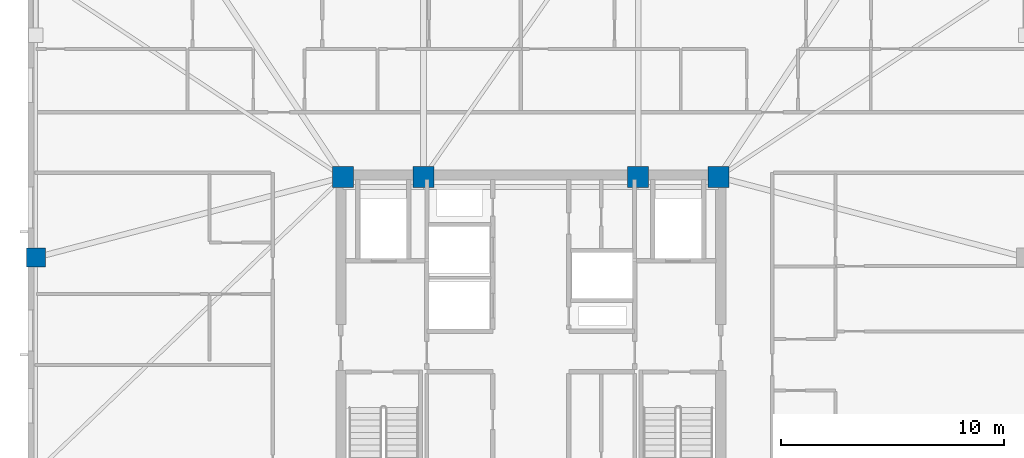
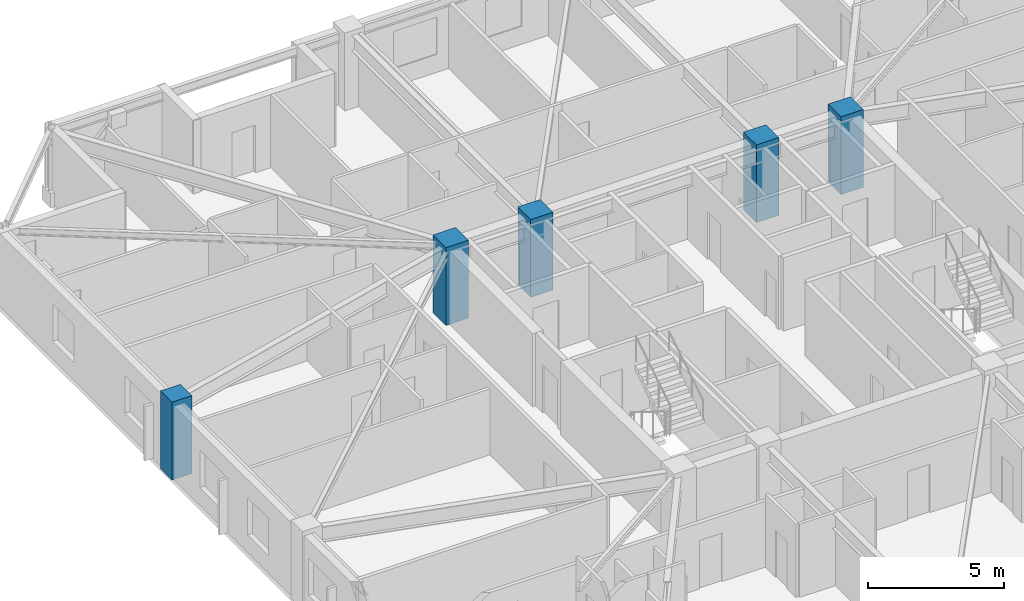
# One storey, part 2 of 17: 5 columns.
"""IFC4 building model written with IfcOpenShell, lengths in metres."""

from ifc_helpers import new_model, si_unit, direction, frame, origin, origin_2d, place, context, subcontext, project, spatial, rectangle, extrude, material, material_profile, profile_set, type_object, element, save


model = new_model("IFC4")

# Units and contexts
model_context = context("Model", 3, precision=1e-05, world=origin(), true_north=direction((0.0, 1.0)))
body_context = subcontext(model_context, "Body", "Model", "MODEL_VIEW")
ifc_project = project(units=[si_unit("LENGTHUNIT", "METRE"), si_unit("AREAUNIT", "SQUARE_METRE"), si_unit("VOLUMEUNIT", "CUBIC_METRE"), si_unit("PLANEANGLEUNIT", "RADIAN"), si_unit("MASSUNIT", "GRAM", prefix="KILO")], contexts=[model_context])

# Site, building, storey
site_placement = place(None, origin())
site = spatial("IfcSite", under=ifc_project, at=site_placement, CompositionType="ELEMENT")
building_placement = place(site_placement, origin())
building = spatial("IfcBuilding", under=site, at=building_placement, Name="Cairnveth Concourse Tower", CompositionType="ELEMENT")
storey_placement = place(building_placement, frame((0.0, 0.0, 216.5)))
storey = spatial("IfcBuildingStorey", under=building, at=storey_placement, Name="L59", CompositionType="ELEMENT", Elevation=216.5)

# Columns
ifc_material = material(Name="Concrete N65 (65 MPa)", Category="concrete")
ifc_material_profile_1 = material_profile(ifc_material, rectangle(XDim=0.949951171875, YDim=0.949951171875, at=origin_2d()), Name="RC-COL-950x950")
ifc_profile_set_1 = profile_set([ifc_material_profile_1], Name="Concrete N65 (65 MPa)")
column_type_1 = type_object("IfcColumnType", Name="CORE COLUMN 950X950", PredefinedType="COLUMN", material=ifc_profile_set_1)
for number, where, z_axis, x_axis, name in (
    (1, (43.60009765625, 47.39990234375, 0.0), (0.0, 0.0, 1.0), (1.0, 0.0, 0.0), "Column CC5 L59"),
    (2, (47.199951171875, 47.39990234375, 0.0), (0.0, 0.0, 1.0), (1.0, 0.0, 0.0), "Column CC6 L59"),
    (3, (56.800048828125, 47.39990234375, 0.0), (0.0, 0.0, 1.0), (1.0, 0.0, 0.0), "Column CC7 L59"),
    (4, (60.39990234375, 47.39990234375, 0.0), (0.0, 0.0, 1.0), (1.0, 0.0, 0.0), "Column CC8 L59"),
):
    element("IfcColumn", number, at=place(storey_placement, frame(where, z_axis=z_axis, x_axis=x_axis)), inside=storey, type_object=column_type_1, Name=name, PredefinedType="COLUMN", context=body_context, shape_type="SweptSolid", body=[
        extrude(rectangle(XDim=0.949951171875, YDim=0.949951171875, at=origin_2d()), origin(), (0.0, 0.0, 1.0), 3.5),
    ])
ifc_material_profile_2 = material_profile(ifc_material, rectangle(XDim=0.85009765625, YDim=0.85009765625, at=origin_2d()), Name="RC-COL-850x850")
ifc_profile_set_2 = profile_set([ifc_material_profile_2], Name="Concrete N65 (65 MPa)")
column_type_2 = type_object("IfcColumnType", Name="PERIMETER PIER COLUMN 850X850", PredefinedType="COLUMN", material=ifc_profile_set_2)
column_placement = place(storey_placement, frame((29.85009765625, 43.800048828125, 0.0), z_axis=(0.0, 0.0, 1.0), x_axis=(0.0, 1.0, 0.0)))
element("IfcColumn", 5, at=column_placement, inside=storey, type_object=column_type_2, Name="Column P-W2 L59", PredefinedType="COLUMN", context=body_context, shape_type="SweptSolid", body=[
    extrude(rectangle(XDim=0.85009765625, YDim=0.85009765625, at=origin_2d()), origin(), (0.0, 0.0, 1.0), 3.5),
])

save(model, "model.ifc")
